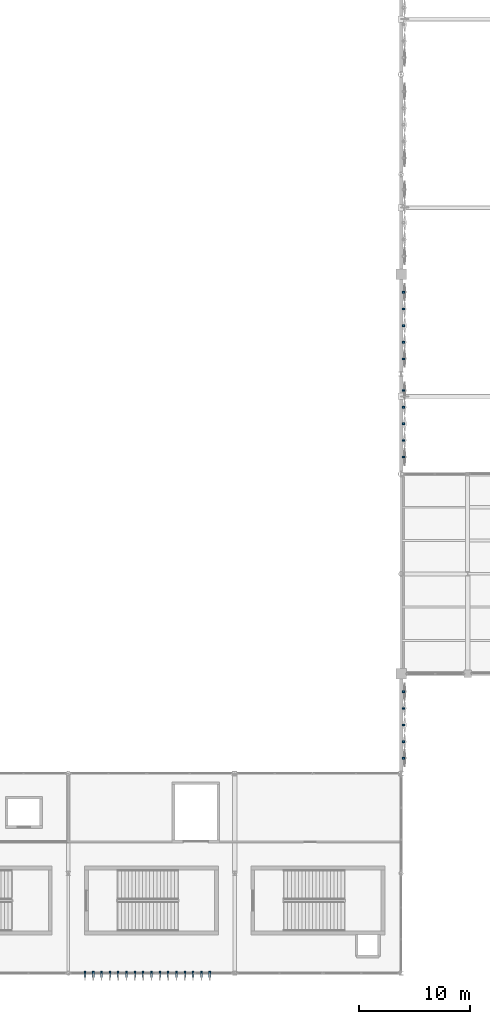
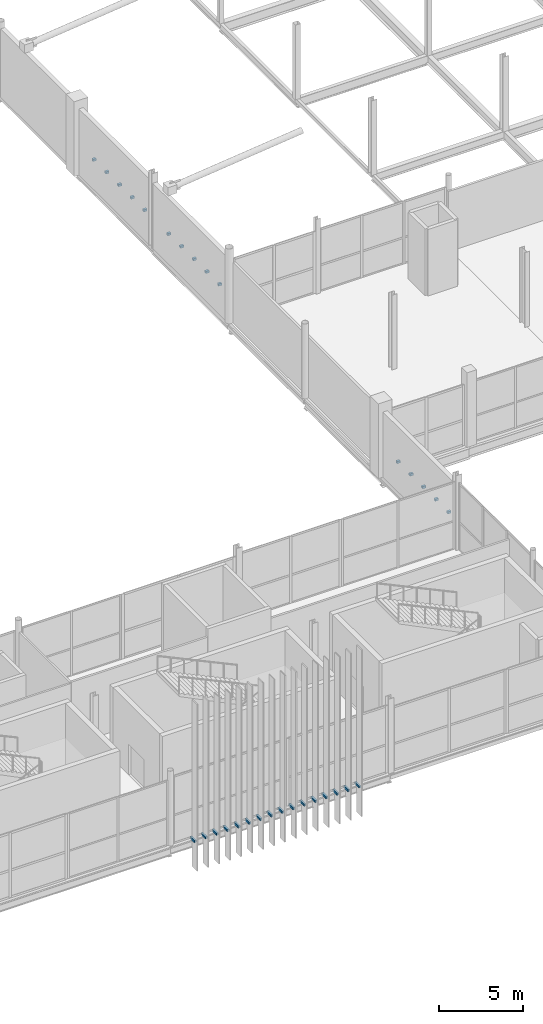
# One storey, part 102 of 119: 31 discrete accessories.
"""IFC4 building model written with IfcOpenShell, lengths in metres."""

from ifc_helpers import new_model, si_unit, direction, frame, origin, origin_2d, place, context, subcontext, project, spatial, rectangle, extrude, material, type_object, element, save


model = new_model("IFC4")

# Units and contexts
model_context = context("Model", 3, precision=1e-05, world=origin(), true_north=direction((0.0, 1.0)))
body_context = subcontext(model_context, "Body", "Model", "MODEL_VIEW")
ifc_project = project(units=[si_unit("LENGTHUNIT", "METRE"), si_unit("AREAUNIT", "SQUARE_METRE"), si_unit("VOLUMEUNIT", "CUBIC_METRE"), si_unit("PLANEANGLEUNIT", "RADIAN"), si_unit("MASSUNIT", "GRAM", prefix="KILO")], contexts=[model_context])

# Site, building, storey
site_placement = place(None, origin())
site = spatial("IfcSite", under=ifc_project, at=site_placement, CompositionType="ELEMENT")
building_placement = place(site_placement, origin())
building = spatial("IfcBuilding", under=site, at=building_placement, Name="Qamarlyn Nura Convention Centre", CompositionType="ELEMENT")
storey_placement = place(building_placement, frame((0.0, 0.0, 5.39990234375)))
storey = spatial("IfcBuildingStorey", under=building, at=storey_placement, Name="L01", CompositionType="ELEMENT", Elevation=5.39990234375)

# Discrete accessories
ifc_material = material(Name="Marine Grade 316 stainless steel", Category="steel")
discrete_accessory_type_1 = type_object("IfcDiscreteAccessoryType", Name="ACC-FIN-BRK", PredefinedType="BRACKET", material=ifc_material)
for number, where, z_axis, x_axis, name in (
    (1, (91.5, -0.10009765625, -0.1796875), (0.0, 0.0, 1.0), (0.0, -1.0, 0.0), "Vertical blade anchor bracket CLUST-A-01-L01"),
    (2, (92.25, -0.10009765625, -0.1796875), (0.0, 0.0, 1.0), (0.0, -1.0, 0.0), "Vertical blade anchor bracket CLUST-A-02-L01"),
    (3, (93.0, -0.10009765625, -0.1796875), (0.0, 0.0, 1.0), (0.0, -1.0, 0.0), "Vertical blade anchor bracket CLUST-A-03-L01"),
    (4, (93.75, -0.10009765625, -0.1796875), (0.0, 0.0, 1.0), (0.0, -1.0, 0.0), "Vertical blade anchor bracket CLUST-A-04-L01"),
    (5, (94.5, -0.10009765625, -0.1796875), (0.0, 0.0, 1.0), (0.0, -1.0, 0.0), "Vertical blade anchor bracket CLUST-A-05-L01"),
    (6, (95.25, -0.10009765625, -0.1796875), (0.0, 0.0, 1.0), (0.0, -1.0, 0.0), "Vertical blade anchor bracket CLUST-A-06-L01"),
    (7, (96.0, -0.10009765625, -0.1796875), (0.0, 0.0, 1.0), (0.0, -1.0, 0.0), "Vertical blade anchor bracket CLUST-A-07-L01"),
    (8, (96.75, -0.10009765625, -0.1796875), (0.0, 0.0, 1.0), (0.0, -1.0, 0.0), "Vertical blade anchor bracket CLUST-A-08-L01"),
    (9, (97.5, -0.10009765625, -0.1796875), (0.0, 0.0, 1.0), (0.0, -1.0, 0.0), "Vertical blade anchor bracket CLUST-A-09-L01"),
    (10, (98.25, -0.10009765625, -0.1796875), (0.0, 0.0, 1.0), (0.0, -1.0, 0.0), "Vertical blade anchor bracket CLUST-A-10-L01"),
    (11, (99.0, -0.10009765625, -0.1796875), (0.0, 0.0, 1.0), (0.0, -1.0, 0.0), "Vertical blade anchor bracket CLUST-A-11-L01"),
    (12, (99.75, -0.10009765625, -0.1796875), (0.0, 0.0, 1.0), (0.0, -1.0, 0.0), "Vertical blade anchor bracket CLUST-A-12-L01"),
    (13, (100.5, -0.10009765625, -0.1796875), (0.0, 0.0, 1.0), (0.0, -1.0, 0.0), "Vertical blade anchor bracket CLUST-A-13-L01"),
    (14, (101.25, -0.10009765625, -0.1796875), (0.0, 0.0, 1.0), (0.0, -1.0, 0.0), "Vertical blade anchor bracket CLUST-A-14-L01"),
    (15, (102.0, -0.10009765625, -0.1796875), (0.0, 0.0, 1.0), (0.0, -1.0, 0.0), "Vertical blade anchor bracket CLUST-A-15-L01"),
    (16, (102.75, -0.10009765625, -0.1796875), (0.0, 0.0, 1.0), (0.0, -1.0, 0.0), "Vertical blade anchor bracket CLUST-A-16-L01"),
):
    element("IfcDiscreteAccessory", number, at=place(storey_placement, frame(where, z_axis=z_axis, x_axis=x_axis)), inside=storey, type_object=discrete_accessory_type_1, Name=name, PredefinedType="BRACKET", context=body_context, shape_type="SweptSolid", body=[
        extrude(rectangle(XDim=0.52001953125, YDim=0.139892578125, at=origin_2d()), origin(), (0.0, 0.0, 1.0), 0.159912109375),
    ])
discrete_accessory_type_2 = type_object("IfcDiscreteAccessoryType", Name="ACC-TILE-BRK", PredefinedType="BRACKET", material=ifc_material)
discrete_accessory_1_placement = place(storey_placement, frame((120.218994140625, 25.36865234375, 1.6201171875), z_axis=(0.0, 0.0, 1.0), x_axis=(1.0, 0.0, 0.0)))
element("IfcDiscreteAccessory", 17, at=discrete_accessory_1_placement, inside=storey, type_object=discrete_accessory_type_2, Name="L01 diamond tile pivot bracket 0158", PredefinedType="BRACKET", context=body_context, shape_type="SweptSolid", body=[
    extrude(rectangle(XDim=0.218017578125, YDim=0.159912109375, at=origin_2d()), origin(), (0.0, 0.0, 1.0), 0.159912109375),
])
discrete_accessory_2_placement = place(storey_placement, frame((120.224365234375, 23.86865234375, 1.6201171875), z_axis=(0.0, 0.0, 1.0), x_axis=(1.0, 0.0, 0.0)))
element("IfcDiscreteAccessory", 18, at=discrete_accessory_2_placement, inside=storey, type_object=discrete_accessory_type_2, Name="L01 diamond tile pivot bracket 0159", PredefinedType="BRACKET", context=body_context, shape_type="SweptSolid", body=[
    extrude(rectangle(XDim=0.228515625, YDim=0.159912109375, at=origin_2d()), origin(), (0.0, 0.0, 1.0), 0.159912109375),
])
discrete_accessory_3_placement = place(storey_placement, frame((120.2265625, 22.36865234375, 1.6201171875), z_axis=(0.0, 0.0, 1.0), x_axis=(1.0, 0.0, 0.0)))
element("IfcDiscreteAccessory", 19, at=discrete_accessory_3_placement, inside=storey, type_object=discrete_accessory_type_2, Name="L01 diamond tile pivot bracket 0160", PredefinedType="BRACKET", context=body_context, shape_type="SweptSolid", body=[
    extrude(rectangle(XDim=0.23291015625, YDim=0.159912109375, at=origin_2d()), origin(), (0.0, 0.0, 1.0), 0.159912109375),
])
discrete_accessory_4_placement = place(storey_placement, frame((120.224365234375, 20.86865234375, 1.6201171875), z_axis=(0.0, 0.0, 1.0), x_axis=(1.0, 0.0, 0.0)))
element("IfcDiscreteAccessory", 20, at=discrete_accessory_4_placement, inside=storey, type_object=discrete_accessory_type_2, Name="L01 diamond tile pivot bracket 0161", PredefinedType="BRACKET", context=body_context, shape_type="SweptSolid", body=[
    extrude(rectangle(XDim=0.228515625, YDim=0.159912109375, at=origin_2d()), origin(), (0.0, 0.0, 1.0), 0.159912109375),
])
for number, where, z_axis, x_axis, name in (
    (21, (120.218994140625, 19.36865234375, 1.6201171875), (0.0, 0.0, 1.0), (1.0, 0.0, 0.0), "L01 diamond tile pivot bracket 0162"),
    (22, (120.218994140625, 52.520751953125, 1.6201171875), (0.0, 0.0, 1.0), (1.0, 0.0, 0.0), "L01 diamond tile pivot bracket 0163"),
):
    element("IfcDiscreteAccessory", number, at=place(storey_placement, frame(where, z_axis=z_axis, x_axis=x_axis)), inside=storey, type_object=discrete_accessory_type_2, Name=name, PredefinedType="BRACKET", context=body_context, shape_type="SweptSolid", body=[
        extrude(rectangle(XDim=0.218017578125, YDim=0.159912109375, at=origin_2d()), origin(), (0.0, 0.0, 1.0), 0.159912109375),
    ])
discrete_accessory_5_placement = place(storey_placement, frame((120.224365234375, 51.020751953125, 1.6201171875), z_axis=(0.0, 0.0, 1.0), x_axis=(1.0, 0.0, 0.0)))
element("IfcDiscreteAccessory", 23, at=discrete_accessory_5_placement, inside=storey, type_object=discrete_accessory_type_2, Name="L01 diamond tile pivot bracket 0164", PredefinedType="BRACKET", context=body_context, shape_type="SweptSolid", body=[
    extrude(rectangle(XDim=0.228515625, YDim=0.159912109375, at=origin_2d()), origin(), (0.0, 0.0, 1.0), 0.159912109375),
])
discrete_accessory_6_placement = place(storey_placement, frame((120.2265625, 49.520751953125, 1.6201171875), z_axis=(0.0, 0.0, 1.0), x_axis=(1.0, 0.0, 0.0)))
element("IfcDiscreteAccessory", 24, at=discrete_accessory_6_placement, inside=storey, type_object=discrete_accessory_type_2, Name="L01 diamond tile pivot bracket 0165", PredefinedType="BRACKET", context=body_context, shape_type="SweptSolid", body=[
    extrude(rectangle(XDim=0.23291015625, YDim=0.159912109375, at=origin_2d()), origin(), (0.0, 0.0, 1.0), 0.159912109375),
])
discrete_accessory_7_placement = place(storey_placement, frame((120.224365234375, 48.020751953125, 1.6201171875), z_axis=(0.0, 0.0, 1.0), x_axis=(1.0, 0.0, 0.0)))
element("IfcDiscreteAccessory", 25, at=discrete_accessory_7_placement, inside=storey, type_object=discrete_accessory_type_2, Name="L01 diamond tile pivot bracket 0166", PredefinedType="BRACKET", context=body_context, shape_type="SweptSolid", body=[
    extrude(rectangle(XDim=0.228515625, YDim=0.159912109375, at=origin_2d()), origin(), (0.0, 0.0, 1.0), 0.159912109375),
])
for number, where, z_axis, x_axis, name in (
    (26, (120.218994140625, 46.520751953125, 1.6201171875), (0.0, 0.0, 1.0), (1.0, 0.0, 0.0), "L01 diamond tile pivot bracket 0167"),
    (27, (120.218994140625, 61.36865234375, 1.6201171875), (0.0, 0.0, 1.0), (1.0, 0.0, 0.0), "L01 diamond tile pivot bracket 0168"),
):
    element("IfcDiscreteAccessory", number, at=place(storey_placement, frame(where, z_axis=z_axis, x_axis=x_axis)), inside=storey, type_object=discrete_accessory_type_2, Name=name, PredefinedType="BRACKET", context=body_context, shape_type="SweptSolid", body=[
        extrude(rectangle(XDim=0.218017578125, YDim=0.159912109375, at=origin_2d()), origin(), (0.0, 0.0, 1.0), 0.159912109375),
    ])
discrete_accessory_8_placement = place(storey_placement, frame((120.224365234375, 59.86865234375, 1.6201171875), z_axis=(0.0, 0.0, 1.0), x_axis=(1.0, 0.0, 0.0)))
element("IfcDiscreteAccessory", 28, at=discrete_accessory_8_placement, inside=storey, type_object=discrete_accessory_type_2, Name="L01 diamond tile pivot bracket 0169", PredefinedType="BRACKET", context=body_context, shape_type="SweptSolid", body=[
    extrude(rectangle(XDim=0.228515625, YDim=0.159912109375, at=origin_2d()), origin(), (0.0, 0.0, 1.0), 0.159912109375),
])
discrete_accessory_9_placement = place(storey_placement, frame((120.2265625, 58.36865234375, 1.6201171875), z_axis=(0.0, 0.0, 1.0), x_axis=(1.0, 0.0, 0.0)))
element("IfcDiscreteAccessory", 29, at=discrete_accessory_9_placement, inside=storey, type_object=discrete_accessory_type_2, Name="L01 diamond tile pivot bracket 0170", PredefinedType="BRACKET", context=body_context, shape_type="SweptSolid", body=[
    extrude(rectangle(XDim=0.23291015625, YDim=0.159912109375, at=origin_2d()), origin(), (0.0, 0.0, 1.0), 0.159912109375),
])
discrete_accessory_10_placement = place(storey_placement, frame((120.224365234375, 56.86865234375, 1.6201171875), z_axis=(0.0, 0.0, 1.0), x_axis=(1.0, 0.0, 0.0)))
element("IfcDiscreteAccessory", 30, at=discrete_accessory_10_placement, inside=storey, type_object=discrete_accessory_type_2, Name="L01 diamond tile pivot bracket 0171", PredefinedType="BRACKET", context=body_context, shape_type="SweptSolid", body=[
    extrude(rectangle(XDim=0.228515625, YDim=0.159912109375, at=origin_2d()), origin(), (0.0, 0.0, 1.0), 0.159912109375),
])
discrete_accessory_11_placement = place(storey_placement, frame((120.218994140625, 55.36865234375, 1.6201171875), z_axis=(0.0, 0.0, 1.0), x_axis=(1.0, 0.0, 0.0)))
element("IfcDiscreteAccessory", 31, at=discrete_accessory_11_placement, inside=storey, type_object=discrete_accessory_type_2, Name="L01 diamond tile pivot bracket 0172", PredefinedType="BRACKET", context=body_context, shape_type="SweptSolid", body=[
    extrude(rectangle(XDim=0.218017578125, YDim=0.159912109375, at=origin_2d()), origin(), (0.0, 0.0, 1.0), 0.159912109375),
])

save(model, "model.ifc")
